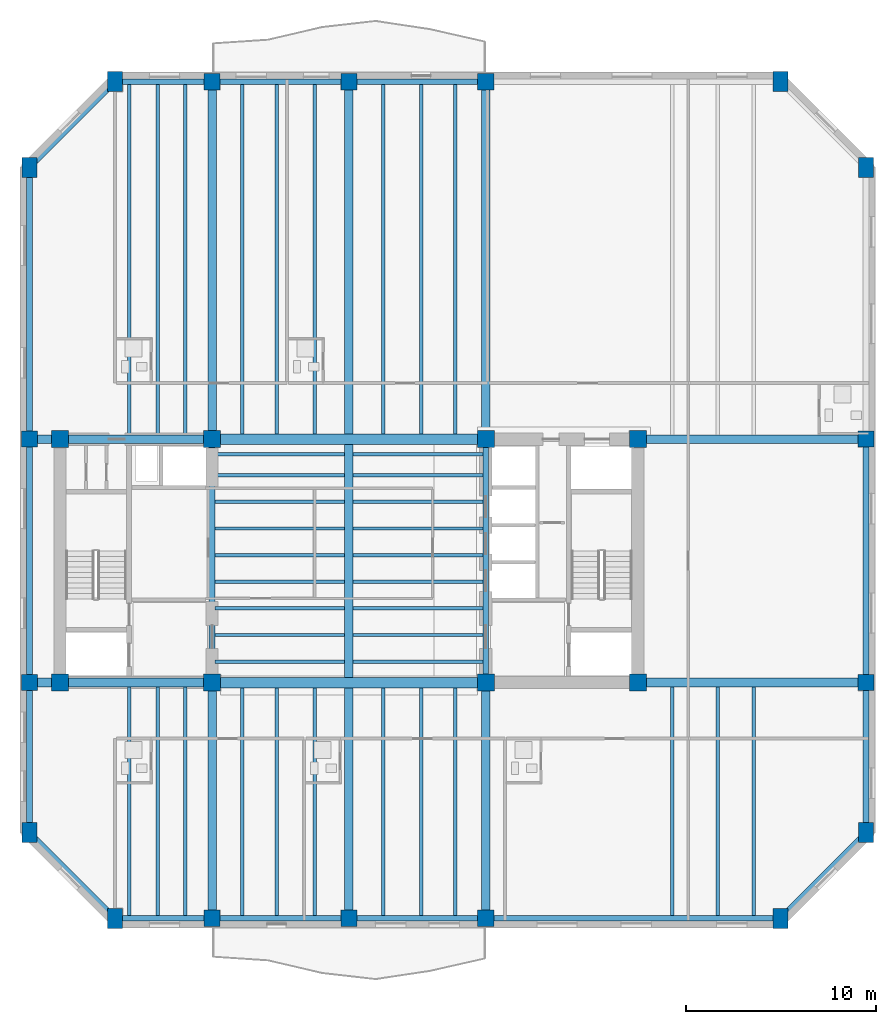
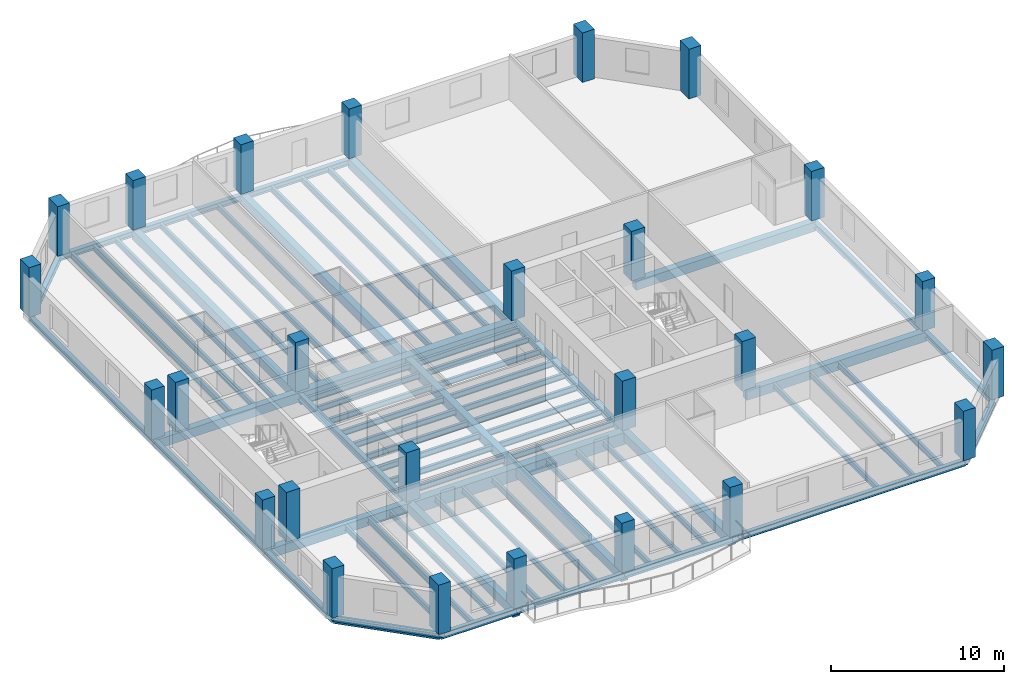
# One storey, part 1 of 9: 69 beams, 26 columns.
"""IFC4 building model written with IfcOpenShell, lengths in metres."""

from ifc_helpers import new_model, si_unit, direction, frame, origin, origin_2d, place, context, subcontext, project, spatial, rectangle, i_section, extrude, material, material_profile, profile_set, type_object, element, save


model = new_model("IFC4")

# Units and contexts
model_context = context("Model", 3, precision=1e-05, world=origin(), true_north=direction((0.0, 1.0)))
body_context = subcontext(model_context, "Body", "Model", "MODEL_VIEW")
ifc_project = project(units=[si_unit("LENGTHUNIT", "METRE"), si_unit("AREAUNIT", "SQUARE_METRE"), si_unit("VOLUMEUNIT", "CUBIC_METRE"), si_unit("PLANEANGLEUNIT", "RADIAN"), si_unit("MASSUNIT", "GRAM", prefix="KILO")], contexts=[model_context])

# Site, building, storey
site_placement = place(None, origin())
site = spatial("IfcSite", under=ifc_project, at=site_placement, CompositionType="ELEMENT")
building_placement = place(site_placement, origin())
building = spatial("IfcBuilding", under=site, at=building_placement, Name="Kranthara Brick Stack", CompositionType="ELEMENT")
storey_placement = place(building_placement, frame((0.0, 0.0, 165.800048828125)))
storey = spatial("IfcBuildingStorey", under=building, at=storey_placement, Name="L42", CompositionType="ELEMENT", Elevation=165.800048828125)

# Columns
ifc_material_1 = material(Name="Concrete C60/75", Category="concrete")
ifc_material_profile_1 = material_profile(ifc_material_1, rectangle(XDim=0.800048828125, YDim=1.050048828125, at=origin_2d()), Name="RC 800x1050")
ifc_profile_set_1 = profile_set([ifc_material_profile_1], Name="Concrete C60/75")
column_type_1 = type_object("IfcColumnType", Name="COL-CHAM-800x1050", PredefinedType="COLUMN", material=ifc_profile_set_1)
for number, where, z_axis, x_axis, name in (
    (1, (15.699951171875, 8.39990234375, 0.0), (0.0, 0.0, 1.0), (1.0, 0.0, 0.0), "L42 Column 09"),
    (2, (15.699951171875, 52.39990234375, 0.0), (0.0, 0.0, 1.0), (1.0, 0.0, 0.0), "L42 Column 10"),
    (3, (50.699951171875, 8.39990234375, 0.0), (0.0, 0.0, 1.0), (1.0, 0.0, 0.0), "L42 Column 17"),
    (4, (50.699951171875, 52.39990234375, 0.0), (0.0, 0.0, 1.0), (1.0, 0.0, 0.0), "L42 Column 18"),
    (5, (11.199951171875, 12.89990234375, 0.0), (0.0, 0.0, 1.0), (1.0, 0.0, 0.0), "L42 Column 19"),
    (6, (55.199951171875, 12.89990234375, 0.0), (0.0, 0.0, 1.0), (1.0, 0.0, 0.0), "L42 Column 20"),
    (7, (11.199951171875, 47.89990234375, 0.0), (0.0, 0.0, 1.0), (1.0, 0.0, 0.0), "L42 Column 25"),
    (8, (55.199951171875, 47.89990234375, 0.0), (0.0, 0.0, 1.0), (1.0, 0.0, 0.0), "L42 Column 26"),
):
    element("IfcColumn", number, at=place(storey_placement, frame(where, z_axis=z_axis, x_axis=x_axis)), inside=storey, type_object=column_type_1, Name=name, PredefinedType="COLUMN", context=body_context, shape_type="SweptSolid", body=[
        extrude(rectangle(XDim=0.800048828125, YDim=1.050048828125, at=origin_2d()), origin(), (0.0, 0.0, 1.0), 3.5),
    ])
ifc_material_2 = material(Name="Concrete C60/75", Category="concrete")
ifc_material_profile_2 = material_profile(ifc_material_2, rectangle(XDim=0.89990234375, YDim=0.89990234375, at=origin_2d()), Name="RC 900x900")
ifc_profile_set_2 = profile_set([ifc_material_profile_2], Name="Concrete C60/75")
column_type_2 = type_object("IfcColumnType", Name="COL-CORE-900", PredefinedType="COLUMN", material=ifc_profile_set_2)
for number, where, z_axis, x_axis, name in (
    (9, (12.800048828125, 20.800048828125, 0.0), (0.0, 0.0, 1.0), (1.0, 0.0, 0.0), "L42 Column 01"),
    (10, (20.800048828125, 20.800048828125, 0.0), (0.0, 0.0, 1.0), (1.0, 0.0, 0.0), "L42 Column 02"),
    (11, (12.800048828125, 33.60009765625, 0.0), (0.0, 0.0, 1.0), (1.0, 0.0, 0.0), "L42 Column 03"),
    (12, (20.800048828125, 33.60009765625, 0.0), (0.0, 0.0, 1.0), (1.0, 0.0, 0.0), "L42 Column 04"),
    (13, (35.199951171875, 20.800048828125, 0.0), (0.0, 0.0, 1.0), (1.0, 0.0, 0.0), "L42 Column 05"),
    (14, (43.199951171875, 20.800048828125, 0.0), (0.0, 0.0, 1.0), (1.0, 0.0, 0.0), "L42 Column 06"),
    (15, (35.199951171875, 33.60009765625, 0.0), (0.0, 0.0, 1.0), (1.0, 0.0, 0.0), "L42 Column 07"),
    (16, (43.199951171875, 33.60009765625, 0.0), (0.0, 0.0, 1.0), (1.0, 0.0, 0.0), "L42 Column 08"),
):
    element("IfcColumn", number, at=place(storey_placement, frame(where, z_axis=z_axis, x_axis=x_axis)), inside=storey, type_object=column_type_2, Name=name, PredefinedType="COLUMN", context=body_context, shape_type="SweptSolid", body=[
        extrude(rectangle(XDim=0.89990234375, YDim=0.89990234375, at=origin_2d()), origin(), (0.0, 0.0, 1.0), 3.5),
    ])
ifc_material_3 = material(Name="Concrete C50/60", Category="concrete")
ifc_material_profile_3 = material_profile(ifc_material_3, rectangle(XDim=0.85009765625, YDim=0.85009765625, at=origin_2d()), Name="RC 850x850")
ifc_profile_set_3 = profile_set([ifc_material_profile_3], Name="Concrete C50/60")
column_type_3 = type_object("IfcColumnType", Name="COL-PER-850", PredefinedType="COLUMN", material=ifc_profile_set_3)
for number, where, z_axis, x_axis, name in (
    (17, (20.800048828125, 8.39990234375, 0.0), (0.0, 0.0, 1.0), (1.0, 0.0, 0.0), "L42 Column 11"),
    (18, (20.800048828125, 52.39990234375, 0.0), (0.0, 0.0, 1.0), (1.0, 0.0, 0.0), "L42 Column 12"),
    (19, (28.0, 8.39990234375, 0.0), (0.0, 0.0, 1.0), (1.0, 0.0, 0.0), "L42 Column 13"),
    (20, (28.0, 52.39990234375, 0.0), (0.0, 0.0, 1.0), (1.0, 0.0, 0.0), "L42 Column 14"),
    (21, (35.199951171875, 8.39990234375, 0.0), (0.0, 0.0, 1.0), (1.0, 0.0, 0.0), "L42 Column 15"),
    (22, (35.199951171875, 52.39990234375, 0.0), (0.0, 0.0, 1.0), (1.0, 0.0, 0.0), "L42 Column 16"),
    (23, (11.199951171875, 20.800048828125, 0.0), (0.0, 0.0, 1.0), (1.0, 0.0, 0.0), "L42 Column 21"),
    (24, (55.199951171875, 20.800048828125, 0.0), (0.0, 0.0, 1.0), (1.0, 0.0, 0.0), "L42 Column 22"),
    (25, (11.199951171875, 33.60009765625, 0.0), (0.0, 0.0, 1.0), (1.0, 0.0, 0.0), "L42 Column 23"),
    (26, (55.199951171875, 33.60009765625, 0.0), (0.0, 0.0, 1.0), (1.0, 0.0, 0.0), "L42 Column 24"),
):
    element("IfcColumn", number, at=place(storey_placement, frame(where, z_axis=z_axis, x_axis=x_axis)), inside=storey, type_object=column_type_3, Name=name, PredefinedType="COLUMN", context=body_context, shape_type="SweptSolid", body=[
        extrude(rectangle(XDim=0.85009765625, YDim=0.85009765625, at=origin_2d()), origin(), (0.0, 0.0, 1.0), 3.5),
    ])

# Beams
ifc_material_4 = material(Name="Concrete C50/60", Category="concrete")
ifc_material_profile_4 = material_profile(ifc_material_4, rectangle(XDim=0.550048828125, YDim=0.85009765625, at=origin_2d()), Name="RC 550x850")
ifc_profile_set_4 = profile_set([ifc_material_profile_4], Name="Concrete C50/60")
beam_type_1 = type_object("IfcBeamType", Name="BM-CPL-RC850", PredefinedType="LINTEL", material=ifc_profile_set_4)
for number, where, z_axis, x_axis, name in (
    (27, (20.800048828125, 20.800048828125, -0.72509765625), (1.0, 0.0, 0.0), (0.0, 1.0, 0.0), "L42 Core Coupling Beam 001"),
    (28, (20.800048828125, 33.60009765625, -0.72509765625), (1.0, 0.0, 0.0), (0.0, 1.0, 0.0), "L42 Core Coupling Beam 002"),
):
    element("IfcBeam", number, at=place(storey_placement, frame(where, z_axis=z_axis, x_axis=x_axis)), inside=storey, type_object=beam_type_1, Name=name, PredefinedType="LINTEL", context=body_context, shape_type="SweptSolid", body=[
        extrude(rectangle(XDim=0.550048828125, YDim=0.85009765625, at=origin_2d()), origin(), (0.0, 0.0, 1.0), 14.39990234375),
    ])
ifc_material_5 = material(Name="Post-tensioned concrete C45/55", Category="concrete")
ifc_material_profile_5 = material_profile(ifc_material_5, rectangle(XDim=0.449951171875, YDim=0.64990234375, at=origin_2d()), Name="PT 450x650")
ifc_profile_set_5 = profile_set([ifc_material_profile_5], Name="Post-tensioned concrete C45/55")
beam_type_2 = type_object("IfcBeamType", Name="BM-FLR-PT650", PredefinedType="BEAM", material=ifc_profile_set_5)
beam_1_placement = place(storey_placement, frame((20.800048828125, 8.39990234375, -0.625), z_axis=(0.0, 1.0, 0.0), x_axis=(-1.0, 0.0, 0.0)))
element("IfcBeam", 29, at=beam_1_placement, inside=storey, type_object=beam_type_2, Name="L42 Primary Grid Girder 023", PredefinedType="BEAM", context=body_context, shape_type="SweptSolid", body=[
    extrude(rectangle(XDim=0.449951171875, YDim=0.64990234375, at=origin_2d()), origin(), (0.0, 0.0, 1.0), 12.400146484375),
])
beam_2_placement = place(storey_placement, frame((20.800048828125, 33.60009765625, -0.625), z_axis=(0.0, 1.0, 0.0), x_axis=(-1.0, 0.0, 0.0)))
element("IfcBeam", 30, at=beam_2_placement, inside=storey, type_object=beam_type_2, Name="L42 Primary Grid Girder 024", PredefinedType="BEAM", context=body_context, shape_type="SweptSolid", body=[
    extrude(rectangle(XDim=0.449951171875, YDim=0.64990234375, at=origin_2d()), origin(), (0.0, 0.0, 1.0), 18.7998046875),
])
beam_3_placement = place(storey_placement, frame((28.0, 8.39990234375, -0.625), z_axis=(0.0, 1.0, 0.0), x_axis=(-1.0, 0.0, 0.0)))
element("IfcBeam", 31, at=beam_3_placement, inside=storey, type_object=beam_type_2, Name="L42 Primary Grid Girder 025", PredefinedType="BEAM", context=body_context, shape_type="SweptSolid", body=[
    extrude(rectangle(XDim=0.449951171875, YDim=0.64990234375, at=origin_2d()), origin(), (0.0, 0.0, 1.0), 12.125),
])
beam_4_placement = place(storey_placement, frame((28.0, 21.074951171875, -0.625), z_axis=(0.0, 1.0, 0.0), x_axis=(-1.0, 0.0, 0.0)))
element("IfcBeam", 32, at=beam_4_placement, inside=storey, type_object=beam_type_2, Name="L42 Central Spine Girder 026", PredefinedType="BEAM", context=body_context, shape_type="SweptSolid", body=[
    extrude(rectangle(XDim=0.449951171875, YDim=0.64990234375, at=origin_2d()), origin(), (0.0, 0.0, 1.0), 12.25),
])
beam_5_placement = place(storey_placement, frame((28.0, 33.875, -0.625), z_axis=(0.0, 1.0, 0.0), x_axis=(-1.0, 0.0, 0.0)))
element("IfcBeam", 33, at=beam_5_placement, inside=storey, type_object=beam_type_2, Name="L42 Primary Grid Girder 027", PredefinedType="BEAM", context=body_context, shape_type="SweptSolid", body=[
    extrude(rectangle(XDim=0.449951171875, YDim=0.64990234375, at=origin_2d()), origin(), (0.0, 0.0, 1.0), 18.52490234375),
])
beam_6_placement = place(storey_placement, frame((35.199951171875, 8.39990234375, -0.625), z_axis=(0.0, 1.0, 0.0), x_axis=(-1.0, 0.0, 0.0)))
element("IfcBeam", 34, at=beam_6_placement, inside=storey, type_object=beam_type_2, Name="L42 Primary Grid Girder 028", PredefinedType="BEAM", context=body_context, shape_type="SweptSolid", body=[
    extrude(rectangle(XDim=0.449951171875, YDim=0.64990234375, at=origin_2d()), origin(), (0.0, 0.0, 1.0), 12.400146484375),
])
beam_7_placement = place(storey_placement, frame((35.199951171875, 33.60009765625, -0.625), z_axis=(0.0, 1.0, 0.0), x_axis=(-1.0, 0.0, 0.0)))
element("IfcBeam", 35, at=beam_7_placement, inside=storey, type_object=beam_type_2, Name="L42 Primary Grid Girder 029", PredefinedType="BEAM", context=body_context, shape_type="SweptSolid", body=[
    extrude(rectangle(XDim=0.449951171875, YDim=0.64990234375, at=origin_2d()), origin(), (0.0, 0.0, 1.0), 18.7998046875),
])
beam_8_placement = place(storey_placement, frame((11.199951171875, 20.800048828125, -0.625), z_axis=(1.0, 0.0, 0.0), x_axis=(0.0, 1.0, 0.0)))
element("IfcBeam", 36, at=beam_8_placement, inside=storey, type_object=beam_type_2, Name="L42 Primary Grid Girder 030", PredefinedType="BEAM", context=body_context, shape_type="SweptSolid", body=[
    extrude(rectangle(XDim=0.449951171875, YDim=0.64990234375, at=origin_2d()), origin(), (0.0, 0.0, 1.0), 9.60009765625),
])
beam_9_placement = place(storey_placement, frame((43.199951171875, 20.800048828125, -0.625), z_axis=(1.0, 0.0, 0.0), x_axis=(0.0, 1.0, 0.0)))
element("IfcBeam", 37, at=beam_9_placement, inside=storey, type_object=beam_type_2, Name="L42 Primary Grid Girder 031", PredefinedType="BEAM", context=body_context, shape_type="SweptSolid", body=[
    extrude(rectangle(XDim=0.449951171875, YDim=0.64990234375, at=origin_2d()), origin(), (0.0, 0.0, 1.0), 12.0),
])
beam_10_placement = place(storey_placement, frame((11.199951171875, 33.60009765625, -0.625), z_axis=(1.0, 0.0, 0.0), x_axis=(0.0, 1.0, 0.0)))
element("IfcBeam", 38, at=beam_10_placement, inside=storey, type_object=beam_type_2, Name="L42 Primary Grid Girder 032", PredefinedType="BEAM", context=body_context, shape_type="SweptSolid", body=[
    extrude(rectangle(XDim=0.449951171875, YDim=0.64990234375, at=origin_2d()), origin(), (0.0, 0.0, 1.0), 9.60009765625),
])
beam_11_placement = place(storey_placement, frame((43.199951171875, 33.60009765625, -0.625), z_axis=(1.0, 0.0, 0.0), x_axis=(0.0, 1.0, 0.0)))
element("IfcBeam", 39, at=beam_11_placement, inside=storey, type_object=beam_type_2, Name="L42 Primary Grid Girder 033", PredefinedType="BEAM", context=body_context, shape_type="SweptSolid", body=[
    extrude(rectangle(XDim=0.449951171875, YDim=0.64990234375, at=origin_2d()), origin(), (0.0, 0.0, 1.0), 12.0),
])
ifc_material_6 = material(Name="Steel S355", Category="steel")
ifc_material_profile_6 = material_profile(ifc_material_6, i_section(OverallWidth=0.179931640625, OverallDepth=0.39990234375, WebThickness=0.008544921875, FlangeThickness=0.013427734375, at=origin_2d()), Name="IPE 400")
ifc_profile_set_6 = profile_set([ifc_material_profile_6], Name="Steel S355")
beam_type_3 = type_object("IfcBeamType", Name="BM-JST-IPE400", PredefinedType="JOIST", material=ifc_profile_set_6)
for number, where, z_axis, x_axis, name in (
    (40, (20.949951171875, 21.89990234375, -0.5), (1.0, 0.0, 0.0), (0.0, 1.0, 0.0), "L42 Central Floor Joist 034"),
    (41, (28.22509765625, 21.89990234375, -0.5), (1.0, 0.0, 0.0), (0.0, 1.0, 0.0), "L42 Central Floor Joist 035"),
    (42, (20.949951171875, 23.300048828125, -0.5), (1.0, 0.0, 0.0), (0.0, 1.0, 0.0), "L42 Central Floor Joist 036"),
    (43, (28.22509765625, 23.300048828125, -0.5), (1.0, 0.0, 0.0), (0.0, 1.0, 0.0), "L42 Central Floor Joist 037"),
    (44, (20.949951171875, 24.699951171875, -0.5), (1.0, 0.0, 0.0), (0.0, 1.0, 0.0), "L42 Central Floor Joist 038"),
    (45, (28.22509765625, 24.699951171875, -0.5), (1.0, 0.0, 0.0), (0.0, 1.0, 0.0), "L42 Central Floor Joist 039"),
    (46, (20.949951171875, 26.10009765625, -0.5), (1.0, 0.0, 0.0), (0.0, 1.0, 0.0), "L42 Central Floor Joist 040"),
    (47, (28.22509765625, 26.10009765625, -0.5), (1.0, 0.0, 0.0), (0.0, 1.0, 0.0), "L42 Central Floor Joist 041"),
    (48, (20.949951171875, 27.5, -0.5), (1.0, 0.0, 0.0), (0.0, 1.0, 0.0), "L42 Central Floor Joist 042"),
    (49, (28.22509765625, 27.5, -0.5), (1.0, 0.0, 0.0), (0.0, 1.0, 0.0), "L42 Central Floor Joist 043"),
    (50, (20.949951171875, 28.89990234375, -0.5), (1.0, 0.0, 0.0), (0.0, 1.0, 0.0), "L42 Central Floor Joist 044"),
    (51, (28.22509765625, 28.89990234375, -0.5), (1.0, 0.0, 0.0), (0.0, 1.0, 0.0), "L42 Central Floor Joist 045"),
    (52, (20.949951171875, 30.300048828125, -0.5), (1.0, 0.0, 0.0), (0.0, 1.0, 0.0), "L42 Central Floor Joist 046"),
    (53, (28.22509765625, 30.300048828125, -0.5), (1.0, 0.0, 0.0), (0.0, 1.0, 0.0), "L42 Central Floor Joist 047"),
    (54, (20.949951171875, 31.699951171875, -0.5), (1.0, 0.0, 0.0), (0.0, 1.0, 0.0), "L42 Central Floor Joist 048"),
    (55, (28.22509765625, 31.699951171875, -0.5), (1.0, 0.0, 0.0), (0.0, 1.0, 0.0), "L42 Central Floor Joist 049"),
    (56, (20.949951171875, 32.800048828125, -0.5), (1.0, 0.0, 0.0), (0.0, 1.0, 0.0), "L42 Central Floor Joist 050"),
    (57, (28.22509765625, 32.800048828125, -0.5), (1.0, 0.0, 0.0), (0.0, 1.0, 0.0), "L42 Central Floor Joist 051"),
):
    element("IfcBeam", number, at=place(storey_placement, frame(where, z_axis=z_axis, x_axis=x_axis)), inside=storey, type_object=beam_type_3, Name=name, PredefinedType="JOIST", context=body_context, shape_type="SweptSolid", body=[
        extrude(i_section(OverallWidth=0.179931640625, OverallDepth=0.39990234375, WebThickness=0.008544921875, FlangeThickness=0.013427734375, at=origin_2d()), origin(), (0.0, 0.0, 1.0), 6.824951171875),
    ])
beam_12_placement = place(storey_placement, frame((16.449951171875, 8.550048828125, -0.5), z_axis=(0.0, 1.0, 0.0), x_axis=(-1.0, 0.0, 0.0)))
element("IfcBeam", 58, at=beam_12_placement, inside=storey, type_object=beam_type_3, Name="L42 South Wing Floor Joist 052", PredefinedType="JOIST", context=body_context, shape_type="SweptSolid", body=[
    extrude(i_section(OverallWidth=0.179931640625, OverallDepth=0.39990234375, WebThickness=0.008544921875, FlangeThickness=0.013427734375, at=origin_2d()), origin(), (0.0, 0.0, 1.0), 12.02490234375),
])
beam_13_placement = place(storey_placement, frame((16.449951171875, 33.824951171875, -0.5), z_axis=(0.0, 1.0, 0.0), x_axis=(-1.0, 0.0, 0.0)))
element("IfcBeam", 59, at=beam_13_placement, inside=storey, type_object=beam_type_3, Name="L42 North Wing Floor Joist 053", PredefinedType="JOIST", context=body_context, shape_type="SweptSolid", body=[
    extrude(i_section(OverallWidth=0.179931640625, OverallDepth=0.39990234375, WebThickness=0.008544921875, FlangeThickness=0.013427734375, at=origin_2d()), origin(), (0.0, 0.0, 1.0), 18.425048828125),
])
beam_14_placement = place(storey_placement, frame((17.949951171875, 8.550048828125, -0.5), z_axis=(0.0, 1.0, 0.0), x_axis=(-1.0, 0.0, 0.0)))
element("IfcBeam", 60, at=beam_14_placement, inside=storey, type_object=beam_type_3, Name="L42 South Wing Floor Joist 054", PredefinedType="JOIST", context=body_context, shape_type="SweptSolid", body=[
    extrude(i_section(OverallWidth=0.179931640625, OverallDepth=0.39990234375, WebThickness=0.008544921875, FlangeThickness=0.013427734375, at=origin_2d()), origin(), (0.0, 0.0, 1.0), 12.02490234375),
])
beam_15_placement = place(storey_placement, frame((17.949951171875, 33.824951171875, -0.5), z_axis=(0.0, 1.0, 0.0), x_axis=(-1.0, 0.0, 0.0)))
element("IfcBeam", 61, at=beam_15_placement, inside=storey, type_object=beam_type_3, Name="L42 North Wing Floor Joist 055", PredefinedType="JOIST", context=body_context, shape_type="SweptSolid", body=[
    extrude(i_section(OverallWidth=0.179931640625, OverallDepth=0.39990234375, WebThickness=0.008544921875, FlangeThickness=0.013427734375, at=origin_2d()), origin(), (0.0, 0.0, 1.0), 18.425048828125),
])
beam_16_placement = place(storey_placement, frame((19.39990234375, 8.550048828125, -0.5), z_axis=(0.0, 1.0, 0.0), x_axis=(-1.0, 0.0, 0.0)))
element("IfcBeam", 62, at=beam_16_placement, inside=storey, type_object=beam_type_3, Name="L42 South Wing Floor Joist 056", PredefinedType="JOIST", context=body_context, shape_type="SweptSolid", body=[
    extrude(i_section(OverallWidth=0.179931640625, OverallDepth=0.39990234375, WebThickness=0.008544921875, FlangeThickness=0.013427734375, at=origin_2d()), origin(), (0.0, 0.0, 1.0), 12.02490234375),
])
beam_17_placement = place(storey_placement, frame((19.39990234375, 33.824951171875, -0.5), z_axis=(0.0, 1.0, 0.0), x_axis=(-1.0, 0.0, 0.0)))
element("IfcBeam", 63, at=beam_17_placement, inside=storey, type_object=beam_type_3, Name="L42 North Wing Floor Joist 057", PredefinedType="JOIST", context=body_context, shape_type="SweptSolid", body=[
    extrude(i_section(OverallWidth=0.179931640625, OverallDepth=0.39990234375, WebThickness=0.008544921875, FlangeThickness=0.013427734375, at=origin_2d()), origin(), (0.0, 0.0, 1.0), 18.425048828125),
])
beam_18_placement = place(storey_placement, frame((22.39990234375, 8.550048828125, -0.5), z_axis=(0.0, 1.0, 0.0), x_axis=(-1.0, 0.0, 0.0)))
element("IfcBeam", 64, at=beam_18_placement, inside=storey, type_object=beam_type_3, Name="L42 South Wing Floor Joist 058", PredefinedType="JOIST", context=body_context, shape_type="SweptSolid", body=[
    extrude(i_section(OverallWidth=0.179931640625, OverallDepth=0.39990234375, WebThickness=0.008544921875, FlangeThickness=0.013427734375, at=origin_2d()), origin(), (0.0, 0.0, 1.0), 11.974853515625),
])
beam_19_placement = place(storey_placement, frame((22.39990234375, 33.875, -0.5), z_axis=(0.0, 1.0, 0.0), x_axis=(-1.0, 0.0, 0.0)))
element("IfcBeam", 65, at=beam_19_placement, inside=storey, type_object=beam_type_3, Name="L42 North Wing Floor Joist 059", PredefinedType="JOIST", context=body_context, shape_type="SweptSolid", body=[
    extrude(i_section(OverallWidth=0.179931640625, OverallDepth=0.39990234375, WebThickness=0.008544921875, FlangeThickness=0.013427734375, at=origin_2d()), origin(), (0.0, 0.0, 1.0), 18.375),
])
beam_20_placement = place(storey_placement, frame((24.199951171875, 8.550048828125, -0.5), z_axis=(0.0, 1.0, 0.0), x_axis=(-1.0, 0.0, 0.0)))
element("IfcBeam", 66, at=beam_20_placement, inside=storey, type_object=beam_type_3, Name="L42 South Wing Floor Joist 060", PredefinedType="JOIST", context=body_context, shape_type="SweptSolid", body=[
    extrude(i_section(OverallWidth=0.179931640625, OverallDepth=0.39990234375, WebThickness=0.008544921875, FlangeThickness=0.013427734375, at=origin_2d()), origin(), (0.0, 0.0, 1.0), 11.974853515625),
])
beam_21_placement = place(storey_placement, frame((24.199951171875, 33.875, -0.5), z_axis=(0.0, 1.0, 0.0), x_axis=(-1.0, 0.0, 0.0)))
element("IfcBeam", 67, at=beam_21_placement, inside=storey, type_object=beam_type_3, Name="L42 North Wing Floor Joist 061", PredefinedType="JOIST", context=body_context, shape_type="SweptSolid", body=[
    extrude(i_section(OverallWidth=0.179931640625, OverallDepth=0.39990234375, WebThickness=0.008544921875, FlangeThickness=0.013427734375, at=origin_2d()), origin(), (0.0, 0.0, 1.0), 18.375),
])
beam_22_placement = place(storey_placement, frame((26.199951171875, 8.550048828125, -0.5), z_axis=(0.0, 1.0, 0.0), x_axis=(-1.0, 0.0, 0.0)))
element("IfcBeam", 68, at=beam_22_placement, inside=storey, type_object=beam_type_3, Name="L42 South Wing Floor Joist 062", PredefinedType="JOIST", context=body_context, shape_type="SweptSolid", body=[
    extrude(i_section(OverallWidth=0.179931640625, OverallDepth=0.39990234375, WebThickness=0.008544921875, FlangeThickness=0.013427734375, at=origin_2d()), origin(), (0.0, 0.0, 1.0), 11.974853515625),
])
beam_23_placement = place(storey_placement, frame((26.199951171875, 33.875, -0.5), z_axis=(0.0, 1.0, 0.0), x_axis=(-1.0, 0.0, 0.0)))
element("IfcBeam", 69, at=beam_23_placement, inside=storey, type_object=beam_type_3, Name="L42 North Wing Floor Joist 063", PredefinedType="JOIST", context=body_context, shape_type="SweptSolid", body=[
    extrude(i_section(OverallWidth=0.179931640625, OverallDepth=0.39990234375, WebThickness=0.008544921875, FlangeThickness=0.013427734375, at=origin_2d()), origin(), (0.0, 0.0, 1.0), 18.375),
])
beam_24_placement = place(storey_placement, frame((29.800048828125, 8.550048828125, -0.5), z_axis=(0.0, 1.0, 0.0), x_axis=(-1.0, 0.0, 0.0)))
element("IfcBeam", 70, at=beam_24_placement, inside=storey, type_object=beam_type_3, Name="L42 South Wing Floor Joist 064", PredefinedType="JOIST", context=body_context, shape_type="SweptSolid", body=[
    extrude(i_section(OverallWidth=0.179931640625, OverallDepth=0.39990234375, WebThickness=0.008544921875, FlangeThickness=0.013427734375, at=origin_2d()), origin(), (0.0, 0.0, 1.0), 11.974853515625),
])
beam_25_placement = place(storey_placement, frame((29.800048828125, 33.875, -0.5), z_axis=(0.0, 1.0, 0.0), x_axis=(-1.0, 0.0, 0.0)))
element("IfcBeam", 71, at=beam_25_placement, inside=storey, type_object=beam_type_3, Name="L42 North Wing Floor Joist 065", PredefinedType="JOIST", context=body_context, shape_type="SweptSolid", body=[
    extrude(i_section(OverallWidth=0.179931640625, OverallDepth=0.39990234375, WebThickness=0.008544921875, FlangeThickness=0.013427734375, at=origin_2d()), origin(), (0.0, 0.0, 1.0), 18.375),
])
beam_26_placement = place(storey_placement, frame((31.800048828125, 8.550048828125, -0.5), z_axis=(0.0, 1.0, 0.0), x_axis=(-1.0, 0.0, 0.0)))
element("IfcBeam", 72, at=beam_26_placement, inside=storey, type_object=beam_type_3, Name="L42 South Wing Floor Joist 066", PredefinedType="JOIST", context=body_context, shape_type="SweptSolid", body=[
    extrude(i_section(OverallWidth=0.179931640625, OverallDepth=0.39990234375, WebThickness=0.008544921875, FlangeThickness=0.013427734375, at=origin_2d()), origin(), (0.0, 0.0, 1.0), 11.974853515625),
])
beam_27_placement = place(storey_placement, frame((31.800048828125, 33.875, -0.5), z_axis=(0.0, 1.0, 0.0), x_axis=(-1.0, 0.0, 0.0)))
element("IfcBeam", 73, at=beam_27_placement, inside=storey, type_object=beam_type_3, Name="L42 North Wing Floor Joist 067", PredefinedType="JOIST", context=body_context, shape_type="SweptSolid", body=[
    extrude(i_section(OverallWidth=0.179931640625, OverallDepth=0.39990234375, WebThickness=0.008544921875, FlangeThickness=0.013427734375, at=origin_2d()), origin(), (0.0, 0.0, 1.0), 18.375),
])
beam_28_placement = place(storey_placement, frame((33.60009765625, 8.550048828125, -0.5), z_axis=(0.0, 1.0, 0.0), x_axis=(-1.0, 0.0, 0.0)))
element("IfcBeam", 74, at=beam_28_placement, inside=storey, type_object=beam_type_3, Name="L42 South Wing Floor Joist 068", PredefinedType="JOIST", context=body_context, shape_type="SweptSolid", body=[
    extrude(i_section(OverallWidth=0.179931640625, OverallDepth=0.39990234375, WebThickness=0.008544921875, FlangeThickness=0.013427734375, at=origin_2d()), origin(), (0.0, 0.0, 1.0), 11.974853515625),
])
beam_29_placement = place(storey_placement, frame((33.60009765625, 33.875, -0.5), z_axis=(0.0, 1.0, 0.0), x_axis=(-1.0, 0.0, 0.0)))
element("IfcBeam", 75, at=beam_29_placement, inside=storey, type_object=beam_type_3, Name="L42 North Wing Floor Joist 069", PredefinedType="JOIST", context=body_context, shape_type="SweptSolid", body=[
    extrude(i_section(OverallWidth=0.179931640625, OverallDepth=0.39990234375, WebThickness=0.008544921875, FlangeThickness=0.013427734375, at=origin_2d()), origin(), (0.0, 0.0, 1.0), 18.375),
])
for number, where, z_axis, x_axis, name in (
    (76, (45.0, 8.550048828125, -0.5), (0.0, 1.0, 0.0), (-1.0, 0.0, 0.0), "L42 South Wing Floor Joist 070"),
    (77, (47.39990234375, 8.550048828125, -0.5), (0.0, 1.0, 0.0), (-1.0, 0.0, 0.0), "L42 South Wing Floor Joist 072"),
    (78, (49.300048828125, 8.550048828125, -0.5), (0.0, 1.0, 0.0), (-1.0, 0.0, 0.0), "L42 South Wing Floor Joist 074"),
):
    element("IfcBeam", number, at=place(storey_placement, frame(where, z_axis=z_axis, x_axis=x_axis)), inside=storey, type_object=beam_type_3, Name=name, PredefinedType="JOIST", context=body_context, shape_type="SweptSolid", body=[
        extrude(i_section(OverallWidth=0.179931640625, OverallDepth=0.39990234375, WebThickness=0.008544921875, FlangeThickness=0.013427734375, at=origin_2d()), origin(), (0.0, 0.0, 1.0), 12.02490234375),
    ])
ifc_material_7 = material(Name="Steel S355", Category="steel")
ifc_material_profile_7 = material_profile(ifc_material_7, i_section(OverallWidth=0.300048828125, OverallDepth=0.39990234375, WebThickness=0.013427734375, FlangeThickness=0.02392578125, at=origin_2d()), Name="HEB 400")
ifc_profile_set_7 = profile_set([ifc_material_profile_7], Name="Steel S355")
beam_type_4 = type_object("IfcBeamType", Name="BM-STL-HEB400", PredefinedType="SPANDREL", material=ifc_profile_set_7)
beam_30_placement = place(storey_placement, frame((15.699951171875, 8.39990234375, -0.5), z_axis=(1.0, 0.0, 0.0), x_axis=(0.0, 1.0, 0.0)))
element("IfcBeam", 79, at=beam_30_placement, inside=storey, type_object=beam_type_4, Name="L42 Perimeter Spandrel Beam 005", PredefinedType="SPANDREL", context=body_context, shape_type="SweptSolid", body=[
    extrude(i_section(OverallWidth=0.300048828125, OverallDepth=0.39990234375, WebThickness=0.013427734375, FlangeThickness=0.02392578125, at=origin_2d()), origin(), (0.0, 0.0, 1.0), 5.10009765625),
])
for number, where, z_axis, x_axis, name in (
    (80, (20.800048828125, 8.39990234375, -0.5), (1.0, 0.0, 0.0), (0.0, 1.0, 0.0), "L42 Perimeter Spandrel Beam 006"),
    (81, (28.0, 8.39990234375, -0.5), (1.0, 0.0, 0.0), (0.0, 1.0, 0.0), "L42 Perimeter Spandrel Beam 007"),
):
    element("IfcBeam", number, at=place(storey_placement, frame(where, z_axis=z_axis, x_axis=x_axis)), inside=storey, type_object=beam_type_4, Name=name, PredefinedType="SPANDREL", context=body_context, shape_type="SweptSolid", body=[
        extrude(i_section(OverallWidth=0.300048828125, OverallDepth=0.39990234375, WebThickness=0.013427734375, FlangeThickness=0.02392578125, at=origin_2d()), origin(), (0.0, 0.0, 1.0), 7.199951171875),
    ])
beam_31_placement = place(storey_placement, frame((35.199951171875, 8.39990234375, -0.5), z_axis=(1.0, 0.0, 0.0), x_axis=(0.0, 1.0, 0.0)))
element("IfcBeam", 82, at=beam_31_placement, inside=storey, type_object=beam_type_4, Name="L42 Perimeter Spandrel Beam 008", PredefinedType="SPANDREL", context=body_context, shape_type="SweptSolid", body=[
    extrude(i_section(OverallWidth=0.300048828125, OverallDepth=0.39990234375, WebThickness=0.013427734375, FlangeThickness=0.02392578125, at=origin_2d()), origin(), (0.0, 0.0, 1.0), 15.5),
])
beam_32_placement = place(storey_placement, frame((15.699951171875, 52.39990234375, -0.5), z_axis=(1.0, 0.0, 0.0), x_axis=(0.0, 1.0, 0.0)))
element("IfcBeam", 83, at=beam_32_placement, inside=storey, type_object=beam_type_4, Name="L42 Perimeter Spandrel Beam 009", PredefinedType="SPANDREL", context=body_context, shape_type="SweptSolid", body=[
    extrude(i_section(OverallWidth=0.300048828125, OverallDepth=0.39990234375, WebThickness=0.013427734375, FlangeThickness=0.02392578125, at=origin_2d()), origin(), (0.0, 0.0, 1.0), 5.10009765625),
])
for number, where, z_axis, x_axis, name in (
    (84, (20.800048828125, 52.39990234375, -0.5), (1.0, 0.0, 0.0), (0.0, 1.0, 0.0), "L42 Perimeter Spandrel Beam 010"),
    (85, (28.0, 52.39990234375, -0.5), (1.0, 0.0, 0.0), (0.0, 1.0, 0.0), "L42 Perimeter Spandrel Beam 011"),
):
    element("IfcBeam", number, at=place(storey_placement, frame(where, z_axis=z_axis, x_axis=x_axis)), inside=storey, type_object=beam_type_4, Name=name, PredefinedType="SPANDREL", context=body_context, shape_type="SweptSolid", body=[
        extrude(i_section(OverallWidth=0.300048828125, OverallDepth=0.39990234375, WebThickness=0.013427734375, FlangeThickness=0.02392578125, at=origin_2d()), origin(), (0.0, 0.0, 1.0), 7.199951171875),
    ])
beam_33_placement = place(storey_placement, frame((11.199951171875, 12.89990234375, -0.5), z_axis=(0.0, 1.0, 0.0), x_axis=(-1.0, 0.0, 0.0)))
element("IfcBeam", 86, at=beam_33_placement, inside=storey, type_object=beam_type_4, Name="L42 Perimeter Spandrel Beam 013", PredefinedType="SPANDREL", context=body_context, shape_type="SweptSolid", body=[
    extrude(i_section(OverallWidth=0.300048828125, OverallDepth=0.39990234375, WebThickness=0.013427734375, FlangeThickness=0.02392578125, at=origin_2d()), origin(), (0.0, 0.0, 1.0), 7.900146484375),
])
beam_34_placement = place(storey_placement, frame((11.199951171875, 20.800048828125, -0.5), z_axis=(0.0, 1.0, 0.0), x_axis=(-1.0, 0.0, 0.0)))
element("IfcBeam", 87, at=beam_34_placement, inside=storey, type_object=beam_type_4, Name="L42 Perimeter Spandrel Beam 014", PredefinedType="SPANDREL", context=body_context, shape_type="SweptSolid", body=[
    extrude(i_section(OverallWidth=0.300048828125, OverallDepth=0.39990234375, WebThickness=0.013427734375, FlangeThickness=0.02392578125, at=origin_2d()), origin(), (0.0, 0.0, 1.0), 12.800048828125),
])
beam_35_placement = place(storey_placement, frame((11.199951171875, 33.60009765625, -0.5), z_axis=(0.0, 1.0, 0.0), x_axis=(-1.0, 0.0, 0.0)))
element("IfcBeam", 88, at=beam_35_placement, inside=storey, type_object=beam_type_4, Name="L42 Perimeter Spandrel Beam 015", PredefinedType="SPANDREL", context=body_context, shape_type="SweptSolid", body=[
    extrude(i_section(OverallWidth=0.300048828125, OverallDepth=0.39990234375, WebThickness=0.013427734375, FlangeThickness=0.02392578125, at=origin_2d()), origin(), (0.0, 0.0, 1.0), 14.2998046875),
])
beam_36_placement = place(storey_placement, frame((55.199951171875, 12.89990234375, -0.5), z_axis=(0.0, 1.0, 0.0), x_axis=(-1.0, 0.0, 0.0)))
element("IfcBeam", 89, at=beam_36_placement, inside=storey, type_object=beam_type_4, Name="L42 Perimeter Spandrel Beam 016", PredefinedType="SPANDREL", context=body_context, shape_type="SweptSolid", body=[
    extrude(i_section(OverallWidth=0.300048828125, OverallDepth=0.39990234375, WebThickness=0.013427734375, FlangeThickness=0.02392578125, at=origin_2d()), origin(), (0.0, 0.0, 1.0), 7.900146484375),
])
beam_37_placement = place(storey_placement, frame((55.199951171875, 20.800048828125, -0.5), z_axis=(0.0, 1.0, 0.0), x_axis=(-1.0, 0.0, 0.0)))
element("IfcBeam", 90, at=beam_37_placement, inside=storey, type_object=beam_type_4, Name="L42 Perimeter Spandrel Beam 017", PredefinedType="SPANDREL", context=body_context, shape_type="SweptSolid", body=[
    extrude(i_section(OverallWidth=0.300048828125, OverallDepth=0.39990234375, WebThickness=0.013427734375, FlangeThickness=0.02392578125, at=origin_2d()), origin(), (0.0, 0.0, 1.0), 12.800048828125),
])
for number, where, z_axis, x_axis, name in (
    (91, (15.699951171875, 8.39990234375, -0.5), (-0.707106781187, 0.707106781187, 0.0), (-0.707106781187, -0.707106781187, 0.0), "L42 Chamfer Corner Spandrel 019"),
    (92, (50.699951171875, 8.39990234375, -0.5), (0.707106781187, 0.707106781187, 0.0), (-0.707106781187, 0.707106781187, 0.0), "L42 Chamfer Corner Spandrel 020"),
    (93, (15.699951171875, 52.39990234375, -0.5), (-0.707106781187, -0.707106781187, 0.0), (0.707106781187, -0.707106781187, 0.0), "L42 Chamfer Corner Spandrel 021"),
):
    element("IfcBeam", number, at=place(storey_placement, frame(where, z_axis=z_axis, x_axis=x_axis)), inside=storey, type_object=beam_type_4, Name=name, PredefinedType="SPANDREL", context=body_context, shape_type="SweptSolid", body=[
        extrude(i_section(OverallWidth=0.300048828125, OverallDepth=0.39990234375, WebThickness=0.013427734375, FlangeThickness=0.02392578125, at=origin_2d()), origin(), (0.0, 0.0, 1.0), 6.364013671875),
    ])
ifc_material_8 = material(Name="Steel S355", Category="steel")
ifc_material_profile_8 = material_profile(ifc_material_8, i_section(OverallWidth=0.300048828125, OverallDepth=0.449951171875, WebThickness=0.013916015625, FlangeThickness=0.02587890625, at=origin_2d()), Name="HEB 450")
ifc_profile_set_8 = profile_set([ifc_material_profile_8], Name="Steel S355")
beam_type_5 = type_object("IfcBeamType", Name="BM-STL-HEB450", PredefinedType="SPANDREL", material=ifc_profile_set_8)
for number, where, z_axis, x_axis, name in (
    (94, (20.800048828125, 20.800048828125, -0.525146484375), (0.0, 1.0, 0.0), (-1.0, 0.0, 0.0), "L42 Core Edge Tie Beam 003"),
    (95, (35.199951171875, 20.800048828125, -0.525146484375), (0.0, 1.0, 0.0), (-1.0, 0.0, 0.0), "L42 Core Edge Tie Beam 004"),
):
    element("IfcBeam", number, at=place(storey_placement, frame(where, z_axis=z_axis, x_axis=x_axis)), inside=storey, type_object=beam_type_5, Name=name, PredefinedType="SPANDREL", context=body_context, shape_type="SweptSolid", body=[
        extrude(i_section(OverallWidth=0.300048828125, OverallDepth=0.449951171875, WebThickness=0.013916015625, FlangeThickness=0.02587890625, at=origin_2d()), origin(), (0.0, 0.0, 1.0), 12.800048828125),
    ])

save(model, "model.ifc")
